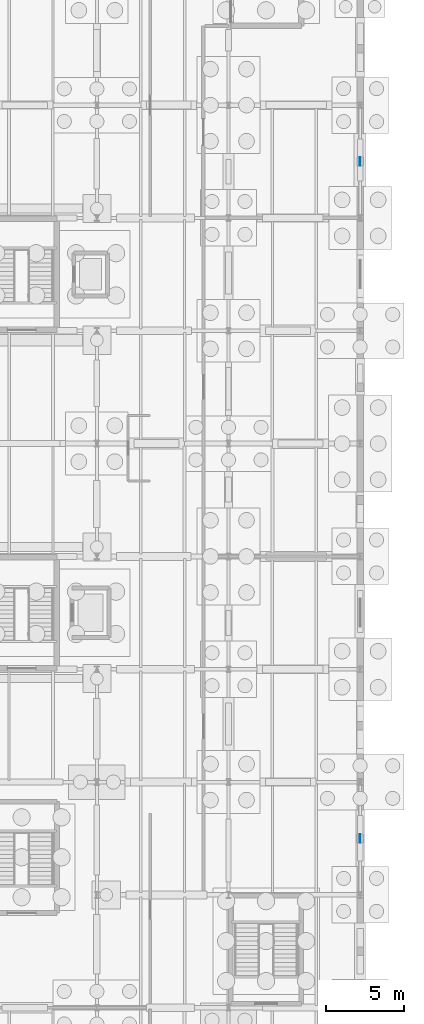
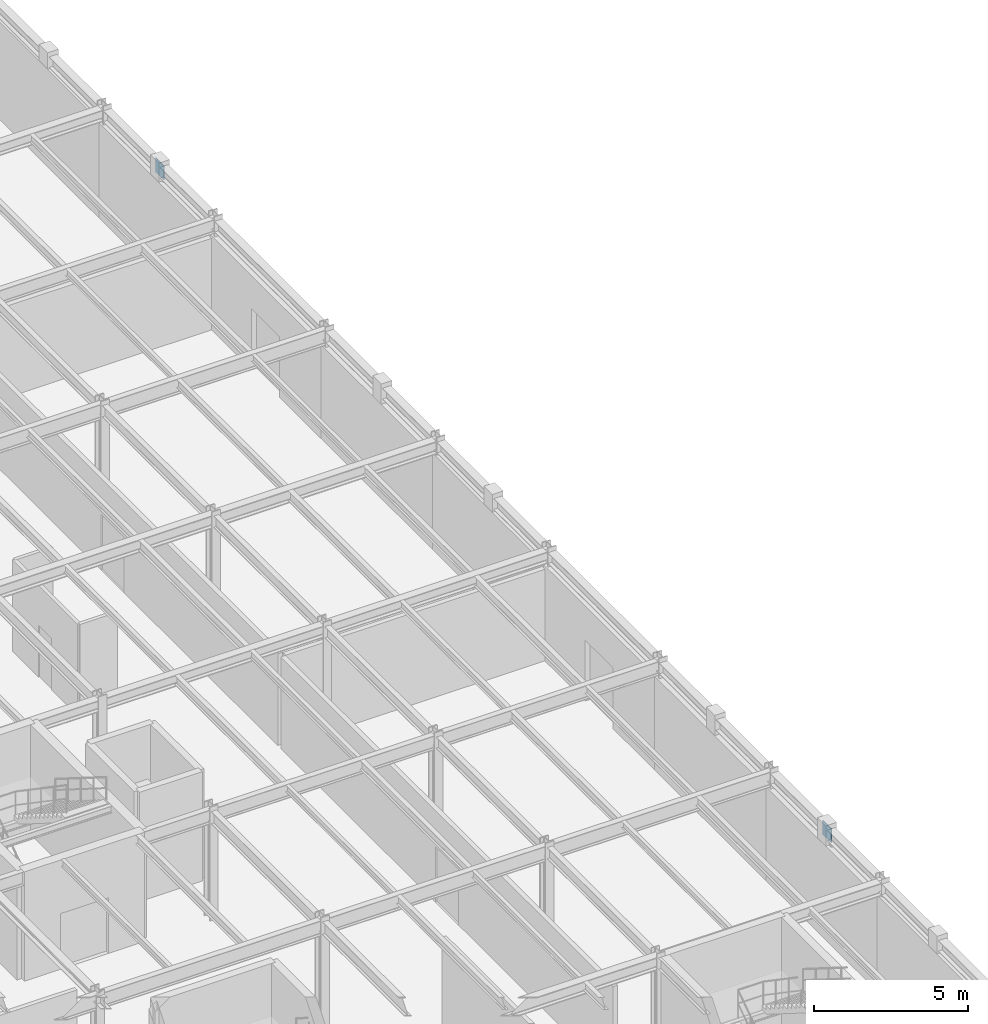
# One storey, part 55 of 93: 2 plates.
"""IFC4 building model written with IfcOpenShell, lengths in metres."""

import ifcopenshell
import ifcopenshell.guid

model = None  # the IFC model being written
_history = None  # IfcOwnerHistory: only IFC2X3 demands one
_inside = {}  # id of a spatial element -> (the spatial element, [elements in it])
_under = {}  # id of a project, library or spatial element -> (it, [spatial elements below it])
_declared = {}  # id of a project -> (the project, [libraries it declares])
_typed = {}  # id of a type object -> (the type object, [elements of that type])
_made_of = {}  # id of a material, layer set ... -> (it, [elements and type objects made of it])


def new_model(schema):
    """Start an empty IFC model of exactly this schema.

    Asked for "IFC4X3", IfcOpenShell would pick the latest addendum, in which some entities
    have other attributes; the version numbers below select the first issue.
    IFC2X3 requires an IfcOwnerHistory on every rooted entity: one is made here for all.
    """
    global model, _history
    if schema == "IFC4X3":
        model = ifcopenshell.file(schema_version=(4, 3, 0, 0))
    else:
        model = ifcopenshell.file(schema=schema)
    _inside.clear()
    _under.clear()
    _declared.clear()
    _typed.clear()
    _made_of.clear()
    _history = None
    if model.schema == "IFC2X3":
        org = make("IfcOrganization", Name="unknown")
        user = make(
            "IfcPersonAndOrganization",
            ThePerson=make("IfcPerson", FamilyName="unknown"),
            TheOrganization=org,
        )
        app = make(
            "IfcApplication",
            ApplicationDeveloper=org,
            Version="unknown",
            ApplicationFullName="unknown",
            ApplicationIdentifier="unknown",
        )
        _history = make(
            "IfcOwnerHistory",
            OwningUser=user,
            OwningApplication=app,
            ChangeAction="ADDED",
            CreationDate=0,
        )
    return model


def make(cls, **values):
    """One entity of the class cls with the attributes given. An attribute that is None is left unset."""
    return model.create_entity(
        cls, **{name: value for name, value in values.items() if value is not None}
    )


def rooted(cls, **values):
    """An entity with a GlobalId (a new one), such as an element, a storey or a relation."""
    return make(cls, GlobalId=ifcopenshell.guid.new(), OwnerHistory=_history, **values)


def si_unit(unit_type, name, prefix=None):
    """IfcSIUnit, for example si_unit("LENGTHUNIT", "METRE", prefix="MILLI")."""
    return make("IfcSIUnit", UnitType=unit_type, Prefix=prefix, Name=name)


def derived_unit(unit_type, elements):
    """IfcDerivedUnit: a product of units, each with its exponent."""
    return make(
        "IfcDerivedUnit",
        Elements=[
            make("IfcDerivedUnitElement", Unit=unit, Exponent=power)
            for unit, power in elements
        ],
        UnitType=unit_type,
    )


def assignment(units):
    """IfcUnitAssignment: the units of a project."""
    return None if units is None else make("IfcUnitAssignment", Units=units)


def point(xyz):
    """IfcCartesianPoint."""
    return None if xyz is None else make("IfcCartesianPoint", Coordinates=xyz)


def direction(xyz):
    """IfcDirection."""
    return None if xyz is None else make("IfcDirection", DirectionRatios=xyz)


def frame(location, z_axis=None, x_axis=None):
    """IfcAxis2Placement3D, a coordinate frame: its origin and axes. An axis left out is left unset."""
    return make(
        "IfcAxis2Placement3D",
        Location=point(location),
        Axis=direction(z_axis),
        RefDirection=direction(x_axis),
    )


def frame_2d(location, x_axis=None):
    """IfcAxis2Placement2D, a coordinate frame in the plane: its origin and x axis."""
    return make(
        "IfcAxis2Placement2D", Location=point(location), RefDirection=direction(x_axis)
    )


def origin():
    """The frame at (0, 0, 0) with its axes left unset."""
    return frame((0.0, 0.0, 0.0))


def origin_2d():
    """The frame at (0, 0) in the plane with its x axis left unset."""
    return frame_2d((0.0, 0.0))


def place(relative_to, where):
    """IfcLocalPlacement: puts the frame where relative to a parent placement (None: the world)."""
    return make(
        "IfcLocalPlacement", PlacementRelTo=relative_to, RelativePlacement=where
    )


def context(
    kind, dimensions, precision=None, world=None, true_north=None, identifier=None
):
    """IfcGeometricRepresentationContext, for example the 3D "Model" context."""
    return make(
        "IfcGeometricRepresentationContext",
        ContextIdentifier=identifier,
        ContextType=kind,
        CoordinateSpaceDimension=dimensions,
        Precision=precision,
        WorldCoordinateSystem=world,
        TrueNorth=true_north,
    )


def subcontext(parent, identifier, kind, view, scale=None):
    """IfcGeometricRepresentationSubContext, for example "Body" below "Model"."""
    return make(
        "IfcGeometricRepresentationSubContext",
        ContextIdentifier=identifier,
        ContextType=kind,
        ParentContext=parent,
        TargetScale=scale,
        TargetView=view,
    )


def project(units=None, contexts=None):
    """IfcProject with its units and contexts."""
    return rooted(
        "IfcProject",
        Name="project",
        RepresentationContexts=contexts,
        UnitsInContext=assignment(units),
    )


def spatial(cls, under=None, at=None, **own):
    """A site, building, storey or space (cls), placed at a placement, below another one or the project."""
    s = rooted(cls, ObjectPlacement=at, **own)
    if under is not None:
        _under.setdefault(under.id(), (under, []))[1].append(s)
    return s


def profile(cls, at=None, kind="AREA", **sizes):
    """A parametric profile (cls). Its sizes go by their IFC names, for example OverallWidth=200.0."""
    return make(cls, ProfileType=kind, Position=at, **sizes)


def rectangle(**sizes):
    """IfcRectangleProfileDef."""
    return profile("IfcRectangleProfileDef", **sizes)


def extrude(swept, where, along, depth):
    """IfcExtrudedAreaSolid: the profile swept, set in the frame where, extruded along a direction by depth."""
    return make(
        "IfcExtrudedAreaSolid",
        SweptArea=swept,
        Position=where,
        ExtrudedDirection=direction(along),
        Depth=depth,
    )


def shape(context_of_items, identifier, shape_type, items):
    """IfcShapeRepresentation: the items that make up one representation, for example the "Body"."""
    return make(
        "IfcShapeRepresentation",
        ContextOfItems=context_of_items,
        RepresentationIdentifier=identifier,
        RepresentationType=shape_type,
        Items=items,
    )


def material(Name=None, Category=None):
    """IfcMaterial."""
    return make("IfcMaterial", Name=Name, Category=Category)


def layer(
    of_material, thickness, ventilated=None, Name=None, Category=None, Priority=None
):
    """IfcMaterialLayer: one layer of a wall or slab, of a material (None: an air gap)."""
    return make(
        "IfcMaterialLayer",
        Material=of_material,
        LayerThickness=thickness,
        IsVentilated=ventilated,
        Name=Name,
        Category=Category,
        Priority=Priority,
    )


def layer_set(layers, Name=None):
    """IfcMaterialLayerSet."""
    return make("IfcMaterialLayerSet", MaterialLayers=layers, LayerSetName=Name)


def made_of(thing, what):
    """Note that an element or type object is made of a material, layer set ...; save() writes the relation."""
    if what is not None:
        _made_of.setdefault(what.id(), (what, []))[1].append(thing)
    return thing


def type_object(cls, material=None, **own):
    """A type object (cls), such as IfcWallType, which elements share."""
    return made_of(rooted(cls, **own), material)


def element(
    cls,
    number,
    at=None,
    inside=None,
    cuts=None,
    type_object=None,
    material=None,
    context=None,
    identifier="Body",
    shape_type=None,
    held_by="IfcProductDefinitionShape",
    body=None,
    shapes=None,
    **own,
):
    """One element of the class cls, such as IfcWall. Its Tag is "e" and its number.

    at: its placement. inside: the storey or other place that contains it. cuts: it is an
    opening in that element (IfcRelVoidsElement). A single representation is given by context,
    identifier, shape_type and body (its items); several are given by shapes. held_by: the class
    of the entity that holds the representations. save() writes the other relations.
    """
    e = rooted(cls, Tag="e%d" % number, ObjectPlacement=at, **own)
    if body is not None:
        shapes = [shape(context, identifier, shape_type, body)]
    if shapes is not None:
        e.Representation = make(held_by, Representations=shapes)
    if inside is not None:
        _inside.setdefault(inside.id(), (inside, []))[1].append(e)
    if cuts is not None:
        rooted(
            "IfcRelVoidsElement", RelatingBuildingElement=cuts, RelatedOpeningElement=e
        )
    if type_object is not None:
        _typed.setdefault(type_object.id(), (type_object, []))[1].append(e)
    return made_of(e, material)


def aggregate(whole, parts):
    """IfcRelAggregates: a whole, such as a stair, and the parts it consists of."""
    return rooted("IfcRelAggregates", RelatingObject=whole, RelatedObjects=parts)


def save(model, path):
    """Write the relations noted so far, then the file.

    IfcRelAggregates (storeys below a building ...), IfcRelContainedInSpatialStructure (elements
    in a storey), IfcRelDefinesByType, IfcRelAssociatesMaterial and IfcRelDeclares: one each for
    every whole, place, type object, material and project.
    """
    for whole, parts in _under.values():
        aggregate(whole, parts)
    for where, things in _inside.values():
        rooted(
            "IfcRelContainedInSpatialStructure",
            RelatedElements=things,
            RelatingStructure=where,
        )
    for kind, things in _typed.values():
        rooted("IfcRelDefinesByType", RelatedObjects=things, RelatingType=kind)
    for what, things in _made_of.values():
        rooted("IfcRelAssociatesMaterial", RelatedObjects=things, RelatingMaterial=what)
    for by, libraries in _declared.values():
        rooted("IfcRelDeclares", RelatingContext=by, RelatedDefinitions=libraries)
    model.write(path)


model = new_model("IFC4")

# Units and contexts
model_context = context("Model", 3, precision=1e-05, world=origin(), true_north=direction((0.0, 1.0)))
body_context = subcontext(model_context, "Body", "Model", "MODEL_VIEW")
ifc_project = project(units=[si_unit("LENGTHUNIT", "METRE"), si_unit("AREAUNIT", "SQUARE_METRE"), si_unit("VOLUMEUNIT", "CUBIC_METRE"), si_unit("PLANEANGLEUNIT", "RADIAN"), si_unit("MASSUNIT", "GRAM", prefix="KILO"), derived_unit("THERMALTRANSMITTANCEUNIT", [(si_unit("MASSUNIT", "GRAM", prefix="KILO"), 1), (si_unit("TIMEUNIT", "SECOND"), -3), (si_unit("THERMODYNAMICTEMPERATUREUNIT", "KELVIN"), -1)])], contexts=[model_context])

# Site, building, storey
site_placement = place(None, origin())
site = spatial("IfcSite", under=ifc_project, at=site_placement, CompositionType="ELEMENT")
building_placement = place(site_placement, origin())
building = spatial("IfcBuilding", under=site, at=building_placement, Name="Kharveza Railside Sports Centre", CompositionType="ELEMENT")
storey_placement = place(building_placement, origin())
storey = spatial("IfcBuildingStorey", under=building, at=storey_placement, Name="L00", CompositionType="ELEMENT", Elevation=0.0)

# Plates
ifc_material = material(Name="Steel S355J2", Category="steel")
ifc_layer = layer(ifc_material, 0.028076171875, Name="Steel S355J2")
ifc_layer_set = layer_set([ifc_layer], Name="Steel S355J2")
plate_type = type_object("IfcPlateType", Name="PL-GS05", PredefinedType="USERDEFINED", material=ifc_layer_set)
for number, where, z_axis, x_axis, name in (
    (1, (168.0, 25.199951171875, 3.77001953125), (0.0, 0.0, 1.0), (1.0, 0.0, 0.0), "PLT-GS-CHEVN-014"),
    (2, (168.0, 68.39990234375, 3.77001953125), (0.0, 0.0, 1.0), (1.0, 0.0, 0.0), "PLT-GS-CHEVN-018"),
):
    element("IfcPlate", number, at=place(storey_placement, frame(where, z_axis=z_axis, x_axis=x_axis)), inside=storey, type_object=plate_type, Name=name, ObjectType="GUSSET_PLATE", PredefinedType="USERDEFINED", context=body_context, shape_type="SweptSolid", body=[
        extrude(rectangle(XDim=0.028076171875, YDim=0.56005859375, at=origin_2d()), origin(), (0.0, 0.0, 1.0), 0.56005859375),
    ])

save(model, "model.ifc")
